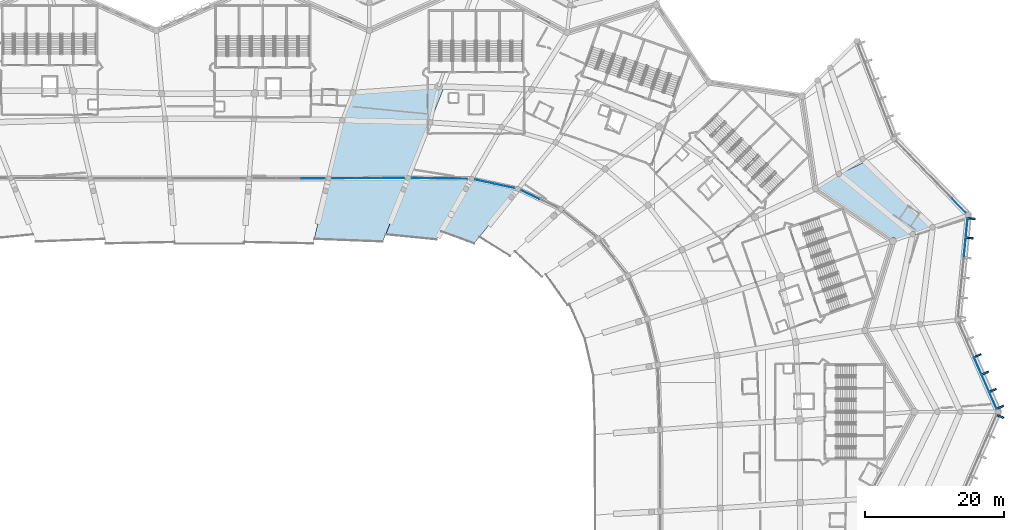
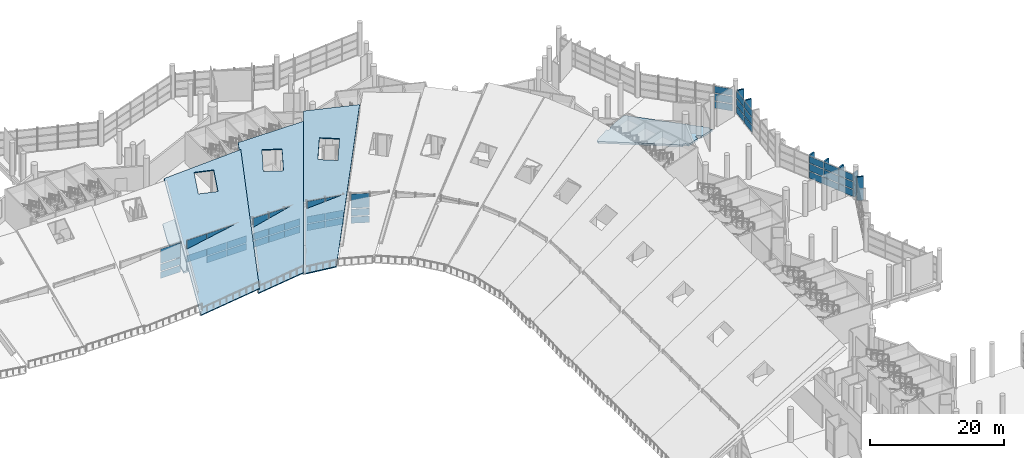
# One storey, part 131 of 249: 55 plates, 5 slabs, 8 elements without a shape of their own.
"""IFC4 building model written with IfcOpenShell, lengths in metres."""

from ifc_helpers import new_model, si_unit, direction, frame, origin, origin_2d, place, context, subcontext, project, spatial, polyline, rectangle, outline, extrude, material, layer, layer_set, type_object, element, aggregate, save


model = new_model("IFC4")

# Units and contexts
model_context = context("Model", 3, precision=1e-05, world=origin(), true_north=direction((0.0, 1.0)))
body_context = subcontext(model_context, "Body", "Model", "MODEL_VIEW")
ifc_project = project(units=[si_unit("LENGTHUNIT", "METRE"), si_unit("AREAUNIT", "SQUARE_METRE"), si_unit("VOLUMEUNIT", "CUBIC_METRE"), si_unit("PLANEANGLEUNIT", "RADIAN"), si_unit("MASSUNIT", "GRAM", prefix="KILO")], contexts=[model_context])

# Site, building, storey
site_placement = place(None, origin())
site = spatial("IfcSite", under=ifc_project, at=site_placement, CompositionType="ELEMENT")
building_placement = place(site_placement, origin())
building = spatial("IfcBuilding", under=site, at=building_placement, Name="Meseta Stadium", CompositionType="ELEMENT")
storey_placement = place(building_placement, frame((0.0, 0.0, 12.0)))
storey = spatial("IfcBuildingStorey", under=building, at=storey_placement, Name="L02", CompositionType="ELEMENT", Elevation=12.0)

# Curtain wall, plates
ifc_material_1 = material(Name="Aluminium", Category="aluminium")
ifc_layer_1 = layer(ifc_material_1, 0.199951171875)
ifc_layer_set_1 = layer_set([ifc_layer_1], Name="Suite glazing curtain wall")
curtain_wall_type_1 = type_object("IfcCurtainWallType", Name="Suite glazing curtain wall", PredefinedType="NOTDEFINED", material=ifc_layer_set_1)
curtain_wall_1_placement = place(storey_placement, origin())
curtain_wall_1 = element("IfcCurtainWall", 1, at=curtain_wall_1_placement, inside=storey, type_object=curtain_wall_type_1, Name="Suite glazing bay 13", PredefinedType="NOTDEFINED")
ifc_material_2 = material(Name="Glass", Category="glass")
ifc_layer_2 = layer(ifc_material_2, 0.035888671875)
ifc_layer_set_2 = layer_set([ifc_layer_2], Name="CW glass panel 36")
plate_type_1 = type_object("IfcPlateType", Name="CW glass panel 36", PredefinedType="CURTAIN_PANEL", material=ifc_layer_set_2)
plate_1_placement = place(storey_placement, frame((46.166259765625, 74.968017578125, 0.14990234375), z_axis=(0.0, 0.0, 1.0), x_axis=(-0.904328409074, 0.426837356076, 0.0)))
plate_1 = element("IfcPlate", 2, at=plate_1_placement, type_object=plate_type_1, Name="CWS panel 2.1", PredefinedType="CURTAIN_PANEL", context=body_context, shape_type="SweptSolid", body=[
    extrude(rectangle(XDim=2.822509765625, YDim=0.035888671875, at=origin_2d()), origin(), (0.0, 0.0, 1.0), 1.1875),
])
plate_2_placement = place(storey_placement, frame((46.166259765625, 74.968017578125, 1.4873046875), z_axis=(0.0, 0.0, 1.0), x_axis=(-0.904328409074, 0.426837356076, 0.0)))
plate_2 = element("IfcPlate", 3, at=plate_2_placement, type_object=plate_type_1, Name="CWS panel 2.2", PredefinedType="CURTAIN_PANEL", context=body_context, shape_type="SweptSolid", body=[
    extrude(rectangle(XDim=2.822509765625, YDim=0.035888671875, at=origin_2d()), origin(), (0.0, 0.0, 1.0), 1.262451171875),
])
plate_3_placement = place(storey_placement, frame((46.166259765625, 74.968017578125, 2.89990234375), z_axis=(0.0, 0.0, 1.0), x_axis=(-0.904328409074, 0.426837356076, 0.0)))
plate_3 = element("IfcPlate", 4, at=plate_3_placement, type_object=plate_type_1, Name="CWS panel 2.3", PredefinedType="CURTAIN_PANEL", context=body_context, shape_type="SweptSolid", body=[
    extrude(rectangle(XDim=2.822509765625, YDim=0.035888671875, at=origin_2d()), origin(), (0.0, 0.0, 1.0), 2.60009765625),
])
aggregate(curtain_wall_1, [plate_1, plate_2, plate_3])

curtain_wall_2_placement = place(storey_placement, origin())
curtain_wall_2 = element("IfcCurtainWall", 5, at=curtain_wall_2_placement, inside=storey, type_object=curtain_wall_type_1, Name="Suite glazing bay 14", PredefinedType="NOTDEFINED")
plate_4_placement = place(storey_placement, frame((42.43603515625, 76.232177734375, 0.14990234375), z_axis=(0.0, 0.0, 1.0), x_axis=(-0.977070301273, 0.21291694712, 0.0)))
plate_4 = element("IfcPlate", 6, at=plate_4_placement, type_object=plate_type_1, Name="CWS panel 1.1", PredefinedType="CURTAIN_PANEL", context=body_context, shape_type="SweptSolid", body=[
    extrude(rectangle(XDim=2.80810546875, YDim=0.035888671875, at=origin_2d()), origin(), (0.0, 0.0, 1.0), 1.1875),
])
plate_5_placement = place(storey_placement, frame((42.43603515625, 76.232177734375, 1.4873046875), z_axis=(0.0, 0.0, 1.0), x_axis=(-0.977070301273, 0.21291694712, 0.0)))
plate_5 = element("IfcPlate", 7, at=plate_5_placement, type_object=plate_type_1, Name="CWS panel 1.2", PredefinedType="CURTAIN_PANEL", context=body_context, shape_type="SweptSolid", body=[
    extrude(rectangle(XDim=2.80810546875, YDim=0.035888671875, at=origin_2d()), origin(), (0.0, 0.0, 1.0), 1.262451171875),
])
plate_6_placement = place(storey_placement, frame((42.43603515625, 76.232177734375, 2.89990234375), z_axis=(0.0, 0.0, 1.0), x_axis=(-0.977070301273, 0.21291694712, 0.0)))
plate_6 = element("IfcPlate", 8, at=plate_6_placement, type_object=plate_type_1, Name="CWS panel 1.3", PredefinedType="CURTAIN_PANEL", context=body_context, shape_type="SweptSolid", body=[
    extrude(rectangle(XDim=2.80810546875, YDim=0.035888671875, at=origin_2d()), origin(), (0.0, 0.0, 1.0), 2.60009765625),
])
plate_7_placement = place(storey_placement, frame((39.633544921875, 76.843017578125, 0.14990234375), z_axis=(0.0, 0.0, 1.0), x_axis=(-0.977070301273, 0.21291694712, 0.0)))
plate_7 = element("IfcPlate", 9, at=plate_7_placement, type_object=plate_type_1, Name="CWS panel 2.1", PredefinedType="CURTAIN_PANEL", context=body_context, shape_type="SweptSolid", body=[
    extrude(rectangle(XDim=2.80810546875, YDim=0.035888671875, at=origin_2d()), origin(), (0.0, 0.0, 1.0), 1.1875),
])
plate_8_placement = place(storey_placement, frame((39.633544921875, 76.843017578125, 1.4873046875), z_axis=(0.0, 0.0, 1.0), x_axis=(-0.977070301273, 0.21291694712, 0.0)))
plate_8 = element("IfcPlate", 10, at=plate_8_placement, type_object=plate_type_1, Name="CWS panel 2.2", PredefinedType="CURTAIN_PANEL", context=body_context, shape_type="SweptSolid", body=[
    extrude(rectangle(XDim=2.80810546875, YDim=0.035888671875, at=origin_2d()), origin(), (0.0, 0.0, 1.0), 1.262451171875),
])
plate_9_placement = place(storey_placement, frame((39.633544921875, 76.843017578125, 2.89990234375), z_axis=(0.0, 0.0, 1.0), x_axis=(-0.977070301273, 0.21291694712, 0.0)))
plate_9 = element("IfcPlate", 11, at=plate_9_placement, type_object=plate_type_1, Name="CWS panel 2.3", PredefinedType="CURTAIN_PANEL", context=body_context, shape_type="SweptSolid", body=[
    extrude(rectangle(XDim=2.80810546875, YDim=0.035888671875, at=origin_2d()), origin(), (0.0, 0.0, 1.0), 2.60009765625),
])
aggregate(curtain_wall_2, [plate_4, plate_5, plate_6, plate_7, plate_8, plate_9])

curtain_wall_3_placement = place(storey_placement, origin())
curtain_wall_3 = element("IfcCurtainWall", 12, at=curtain_wall_3_placement, inside=storey, type_object=curtain_wall_type_1, Name="Suite glazing bay 15", PredefinedType="NOTDEFINED")
plate_10_placement = place(storey_placement, frame((35.80029296875, 77.287109375, 0.14990234375), z_axis=(0.0, 0.0, 1.0), x_axis=(-0.999911801279, 0.013281177042, 0.0)))
plate_10 = element("IfcPlate", 13, at=plate_10_placement, type_object=plate_type_1, Name="CWS panel 1.1", PredefinedType="CURTAIN_PANEL", context=body_context, shape_type="SweptSolid", body=[
    extrude(rectangle(XDim=2.60546875, YDim=0.035888671875, at=origin_2d()), origin(), (0.0, 0.0, 1.0), 1.1875),
])
plate_11_placement = place(storey_placement, frame((35.80029296875, 77.287109375, 1.4873046875), z_axis=(0.0, 0.0, 1.0), x_axis=(-0.999911801279, 0.013281177042, 0.0)))
plate_11 = element("IfcPlate", 14, at=plate_11_placement, type_object=plate_type_1, Name="CWS panel 1.2", PredefinedType="CURTAIN_PANEL", context=body_context, shape_type="SweptSolid", body=[
    extrude(rectangle(XDim=2.60546875, YDim=0.035888671875, at=origin_2d()), origin(), (0.0, 0.0, 1.0), 1.262451171875),
])
plate_12_placement = place(storey_placement, frame((35.80029296875, 77.287109375, 2.89990234375), z_axis=(0.0, 0.0, 1.0), x_axis=(-0.999911801279, 0.013281177042, 0.0)))
plate_12 = element("IfcPlate", 15, at=plate_12_placement, type_object=plate_type_1, Name="CWS panel 1.3", PredefinedType="CURTAIN_PANEL", context=body_context, shape_type="SweptSolid", body=[
    extrude(rectangle(XDim=2.60546875, YDim=0.035888671875, at=origin_2d()), origin(), (0.0, 0.0, 1.0), 2.60009765625),
])
plate_13_placement = place(storey_placement, frame((33.1201171875, 77.32275390625, 0.14990234375), z_axis=(0.0, 0.0, 1.0), x_axis=(-0.999911801279, 0.013281177042, 0.0)))
plate_13 = element("IfcPlate", 16, at=plate_13_placement, type_object=plate_type_1, Name="CWS panel 2.1", PredefinedType="CURTAIN_PANEL", context=body_context, shape_type="SweptSolid", body=[
    extrude(rectangle(XDim=2.635498046875, YDim=0.035888671875, at=origin_2d()), origin(), (0.0, 0.0, 1.0), 1.1875),
])
plate_14_placement = place(storey_placement, frame((33.1201171875, 77.32275390625, 1.4873046875), z_axis=(0.0, 0.0, 1.0), x_axis=(-0.999911801279, 0.013281177042, 0.0)))
plate_14 = element("IfcPlate", 17, at=plate_14_placement, type_object=plate_type_1, Name="CWS panel 2.2", PredefinedType="CURTAIN_PANEL", context=body_context, shape_type="SweptSolid", body=[
    extrude(rectangle(XDim=2.635498046875, YDim=0.035888671875, at=origin_2d()), origin(), (0.0, 0.0, 1.0), 1.262451171875),
])
plate_15_placement = place(storey_placement, frame((33.1201171875, 77.32275390625, 2.89990234375), z_axis=(0.0, 0.0, 1.0), x_axis=(-0.999911801279, 0.013281177042, 0.0)))
plate_15 = element("IfcPlate", 18, at=plate_15_placement, type_object=plate_type_1, Name="CWS panel 2.3", PredefinedType="CURTAIN_PANEL", context=body_context, shape_type="SweptSolid", body=[
    extrude(rectangle(XDim=2.635498046875, YDim=0.035888671875, at=origin_2d()), origin(), (0.0, 0.0, 1.0), 2.60009765625),
])
plate_16_placement = place(storey_placement, frame((30.43994140625, 77.3583984375, 0.14990234375), z_axis=(0.0, 0.0, 1.0), x_axis=(-0.999911801279, 0.013281177042, 0.0)))
plate_16 = element("IfcPlate", 19, at=plate_16_placement, type_object=plate_type_1, Name="CWS panel 3.1", PredefinedType="CURTAIN_PANEL", context=body_context, shape_type="SweptSolid", body=[
    extrude(rectangle(XDim=2.60546875, YDim=0.035888671875, at=origin_2d()), origin(), (0.0, 0.0, 1.0), 1.1875),
])
plate_17_placement = place(storey_placement, frame((30.43994140625, 77.3583984375, 1.4873046875), z_axis=(0.0, 0.0, 1.0), x_axis=(-0.999911801279, 0.013281177042, 0.0)))
plate_17 = element("IfcPlate", 20, at=plate_17_placement, type_object=plate_type_1, Name="CWS panel 3.2", PredefinedType="CURTAIN_PANEL", context=body_context, shape_type="SweptSolid", body=[
    extrude(rectangle(XDim=2.60546875, YDim=0.035888671875, at=origin_2d()), origin(), (0.0, 0.0, 1.0), 1.262451171875),
])
plate_18_placement = place(storey_placement, frame((30.43994140625, 77.3583984375, 2.89990234375), z_axis=(0.0, 0.0, 1.0), x_axis=(-0.999911801279, 0.013281177042, 0.0)))
plate_18 = element("IfcPlate", 21, at=plate_18_placement, type_object=plate_type_1, Name="CWS panel 3.3", PredefinedType="CURTAIN_PANEL", context=body_context, shape_type="SweptSolid", body=[
    extrude(rectangle(XDim=2.60546875, YDim=0.035888671875, at=origin_2d()), origin(), (0.0, 0.0, 1.0), 2.60009765625),
])
aggregate(curtain_wall_3, [plate_10, plate_11, plate_12, plate_13, plate_14, plate_15, plate_16, plate_17, plate_18])

curtain_wall_4_placement = place(storey_placement, origin())
curtain_wall_4 = element("IfcCurtainWall", 22, at=curtain_wall_4_placement, inside=storey, type_object=curtain_wall_type_1, Name="Suite glazing bay 16", PredefinedType="NOTDEFINED")
plate_19_placement = place(storey_placement, frame((26.29541015625, 77.373046875, 0.14990234375), z_axis=(0.0, 0.0, 1.0), x_axis=(-0.999990015912, -0.004468565348, 0.0)))
plate_19 = element("IfcPlate", 23, at=plate_19_placement, type_object=plate_type_1, Name="CWS panel 1.1", PredefinedType="CURTAIN_PANEL", context=body_context, shape_type="SweptSolid", body=[
    extrude(rectangle(XDim=3.386474609375, YDim=0.035888671875, at=origin_2d()), origin(), (0.0, 0.0, 1.0), 1.1875),
])
plate_20_placement = place(storey_placement, frame((26.29541015625, 77.373046875, 1.4873046875), z_axis=(0.0, 0.0, 1.0), x_axis=(-0.999990015912, -0.004468565348, 0.0)))
plate_20 = element("IfcPlate", 24, at=plate_20_placement, type_object=plate_type_1, Name="CWS panel 1.2", PredefinedType="CURTAIN_PANEL", context=body_context, shape_type="SweptSolid", body=[
    extrude(rectangle(XDim=3.386474609375, YDim=0.035888671875, at=origin_2d()), origin(), (0.0, 0.0, 1.0), 1.262451171875),
])
plate_21_placement = place(storey_placement, frame((26.29541015625, 77.373046875, 2.89990234375), z_axis=(0.0, 0.0, 1.0), x_axis=(-0.999990015912, -0.004468565348, 0.0)))
plate_21 = element("IfcPlate", 25, at=plate_21_placement, type_object=plate_type_1, Name="CWS panel 1.3", PredefinedType="CURTAIN_PANEL", context=body_context, shape_type="SweptSolid", body=[
    extrude(rectangle(XDim=3.386474609375, YDim=0.035888671875, at=origin_2d()), origin(), (0.0, 0.0, 1.0), 2.60009765625),
])
plate_22_placement = place(storey_placement, frame((22.833984375, 77.357666015625, 0.14990234375), z_axis=(0.0, 0.0, 1.0), x_axis=(-0.999990015912, -0.004468565348, 0.0)))
plate_22 = element("IfcPlate", 26, at=plate_22_placement, type_object=plate_type_1, Name="CWS panel 2.1", PredefinedType="CURTAIN_PANEL", context=body_context, shape_type="SweptSolid", body=[
    extrude(rectangle(XDim=3.41650390625, YDim=0.035888671875, at=origin_2d()), origin(), (0.0, 0.0, 1.0), 1.1875),
])
plate_23_placement = place(storey_placement, frame((22.833984375, 77.357666015625, 1.4873046875), z_axis=(0.0, 0.0, 1.0), x_axis=(-0.999990015912, -0.004468565348, 0.0)))
plate_23 = element("IfcPlate", 27, at=plate_23_placement, type_object=plate_type_1, Name="CWS panel 2.2", PredefinedType="CURTAIN_PANEL", context=body_context, shape_type="SweptSolid", body=[
    extrude(rectangle(XDim=3.41650390625, YDim=0.035888671875, at=origin_2d()), origin(), (0.0, 0.0, 1.0), 1.262451171875),
])
plate_24_placement = place(storey_placement, frame((22.833984375, 77.357666015625, 2.89990234375), z_axis=(0.0, 0.0, 1.0), x_axis=(-0.999990015912, -0.004468565348, 0.0)))
plate_24 = element("IfcPlate", 28, at=plate_24_placement, type_object=plate_type_1, Name="CWS panel 2.3", PredefinedType="CURTAIN_PANEL", context=body_context, shape_type="SweptSolid", body=[
    extrude(rectangle(XDim=3.41650390625, YDim=0.035888671875, at=origin_2d()), origin(), (0.0, 0.0, 1.0), 2.60009765625),
])
plate_25_placement = place(storey_placement, frame((19.372802734375, 77.342041015625, 0.14990234375), z_axis=(0.0, 0.0, 1.0), x_axis=(-0.999990015912, -0.004468565348, 0.0)))
plate_25 = element("IfcPlate", 29, at=plate_25_placement, type_object=plate_type_1, Name="CWS panel 3.1", PredefinedType="CURTAIN_PANEL", context=body_context, shape_type="SweptSolid", body=[
    extrude(rectangle(XDim=3.386474609375, YDim=0.035888671875, at=origin_2d()), origin(), (0.0, 0.0, 1.0), 1.1875),
])
plate_26_placement = place(storey_placement, frame((19.372802734375, 77.342041015625, 1.4873046875), z_axis=(0.0, 0.0, 1.0), x_axis=(-0.999990015912, -0.004468565348, 0.0)))
plate_26 = element("IfcPlate", 30, at=plate_26_placement, type_object=plate_type_1, Name="CWS panel 3.2", PredefinedType="CURTAIN_PANEL", context=body_context, shape_type="SweptSolid", body=[
    extrude(rectangle(XDim=3.386474609375, YDim=0.035888671875, at=origin_2d()), origin(), (0.0, 0.0, 1.0), 1.262451171875),
])
plate_27_placement = place(storey_placement, frame((19.372802734375, 77.342041015625, 2.89990234375), z_axis=(0.0, 0.0, 1.0), x_axis=(-0.999990015912, -0.004468565348, 0.0)))
plate_27 = element("IfcPlate", 31, at=plate_27_placement, type_object=plate_type_1, Name="CWS panel 3.3", PredefinedType="CURTAIN_PANEL", context=body_context, shape_type="SweptSolid", body=[
    extrude(rectangle(XDim=3.386474609375, YDim=0.035888671875, at=origin_2d()), origin(), (0.0, 0.0, 1.0), 2.60009765625),
])
aggregate(curtain_wall_4, [plate_19, plate_20, plate_21, plate_22, plate_23, plate_24, plate_25, plate_26, plate_27])

curtain_wall_5_placement = place(storey_placement, origin())
curtain_wall_5 = element("IfcCurtainWall", 32, at=curtain_wall_5_placement, inside=storey, type_object=curtain_wall_type_1, Name="Suite glazing bay 17", PredefinedType="NOTDEFINED")
plate_28_placement = place(storey_placement, frame((14.8779296875, 77.326416015625, 0.14990234375), z_axis=(0.0, 0.0, 1.0), x_axis=(-0.999996910004, -0.002485957037, 0.0)))
plate_28 = element("IfcPlate", 33, at=plate_28_placement, type_object=plate_type_1, Name="CWS panel 1.1", PredefinedType="CURTAIN_PANEL", context=body_context, shape_type="SweptSolid", body=[
    extrude(rectangle(XDim=3.392333984375, YDim=0.035888671875, at=origin_2d()), origin(), (0.0, 0.0, 1.0), 1.1875),
])
plate_29_placement = place(storey_placement, frame((14.8779296875, 77.326416015625, 1.4873046875), z_axis=(0.0, 0.0, 1.0), x_axis=(-0.999996910004, -0.002485957037, 0.0)))
plate_29 = element("IfcPlate", 34, at=plate_29_placement, type_object=plate_type_1, Name="CWS panel 1.2", PredefinedType="CURTAIN_PANEL", context=body_context, shape_type="SweptSolid", body=[
    extrude(rectangle(XDim=3.392333984375, YDim=0.035888671875, at=origin_2d()), origin(), (0.0, 0.0, 1.0), 1.262451171875),
])
plate_30_placement = place(storey_placement, frame((14.8779296875, 77.326416015625, 2.89990234375), z_axis=(0.0, 0.0, 1.0), x_axis=(-0.999996910004, -0.002485957037, 0.0)))
plate_30 = element("IfcPlate", 35, at=plate_30_placement, type_object=plate_type_1, Name="CWS panel 1.3", PredefinedType="CURTAIN_PANEL", context=body_context, shape_type="SweptSolid", body=[
    extrude(rectangle(XDim=3.392333984375, YDim=0.035888671875, at=origin_2d()), origin(), (0.0, 0.0, 1.0), 2.60009765625),
])
aggregate(curtain_wall_5, [plate_28, plate_29, plate_30])

# Slabs
ifc_material_3 = material(Name="Concrete C40/50", Category="concrete")
ifc_layer_3 = layer(ifc_material_3, 0.35009765625)
ifc_layer_set_3 = layer_set([ifc_layer_3], Name="Floor slab 350")
slab_type_1 = type_object("IfcSlabType", Name="Floor slab 350", PredefinedType="FLOOR", material=ifc_layer_set_3)
slab_1_placement = place(storey_placement, frame((0.0, 0.0, -0.35009765625)))
element("IfcSlab", 36, at=slab_1_placement, inside=storey, type_object=slab_type_1, Name="Floor slab L02 sector 14 panel 09", PredefinedType="FLOOR", context=body_context, shape_type="SweptSolid", body=[
    extrude(outline(polyline([(19.11865234375, 85.6982421875), (17.126708984375, 77.33203125), (20.93701171875, 77.346923828125), (28.564697265625, 77.38330078125), (33.779541015625, 90.524658203125), (32.944091796875, 90.551025390625), (20.649658203125, 89.65625), (19.11865234375, 85.6982421875)])), origin(), (0.0, 0.0, 1.0), 0.35009765625),
])
slab_2_placement = place(storey_placement, frame((0.0, 0.0, -0.35009765625)))
element("IfcSlab", 37, at=slab_2_placement, inside=storey, type_object=slab_type_1, Name="Ring floor slab L02 1 part 1 panel 03", PredefinedType="FLOOR", context=body_context, shape_type="SweptSolid", body=[
    extrude(outline(polyline([(90.25244140625, 77.69970703125), (90.197509765625, 77.771240234375), (87.533447265625, 76.097412109375), (87.5439453125, 76.083740234375), (87.589111328125, 75.97412109375), (87.604736328125, 75.856689453125), (87.58935546875, 75.740478515625), (97.980712890625, 68.689453125), (98.0390625, 68.734130859375), (98.16064453125, 68.78466796875), (98.291015625, 68.8017578125), (98.421630859375, 68.78466796875), (98.543212890625, 68.734130859375), (98.647705078125, 68.654052734375), (98.727783203125, 68.549560546875), (98.7783203125, 68.427978515625), (98.790283203125, 68.337158203125), (100.8779296875, 68.99169921875), (100.855224609375, 69.00927734375), (100.791015625, 69.0927734375), (100.750732421875, 69.190185546875), (100.737060546875, 69.29443359375), (100.750732421875, 69.39892578125), (100.791015625, 69.49609375), (100.855224609375, 69.579833984375), (100.938720703125, 69.643798828125), (101.0361328125, 69.68408203125), (101.140380859375, 69.697998046875), (101.2451171875, 69.68408203125), (101.34228515625, 69.643798828125), (101.42578125, 69.579833984375), (101.489990234375, 69.49609375), (101.5302734375, 69.39892578125), (101.5439453125, 69.29443359375), (101.531005859375, 69.196533203125), (103.84033203125, 69.920654296875), (103.7880859375, 69.942138671875), (103.70458984375, 70.00634765625), (103.640380859375, 70.08984375), (103.60009765625, 70.18701171875), (103.58642578125, 70.29150390625), (103.60009765625, 70.39599609375), (103.640380859375, 70.493408203125), (103.70166015625, 70.572998046875), (94.31884765625, 79.728515625), (90.924560546875, 78.09619140625), (90.927490234375, 78.08935546875), (90.941162109375, 77.98486328125), (90.927490234375, 77.880615234375), (90.88720703125, 77.783203125), (90.822998046875, 77.69970703125), (90.739501953125, 77.635498046875), (90.64208984375, 77.59521484375), (90.53759765625, 77.581298828125), (90.433349609375, 77.59521484375), (90.3359375, 77.635498046875), (90.25244140625, 77.69970703125)])), origin(), (0.0, 0.0, 1.0), 0.35009765625),
])

# Curtain wall, plates
ifc_material_4 = material(Name="Aluminium", Category="aluminium")
ifc_layer_4 = layer(ifc_material_4, 0.199951171875)
ifc_layer_set_4 = layer_set([ifc_layer_4], Name="Ring shopfront curtain wall")
curtain_wall_type_2 = type_object("IfcCurtainWallType", Name="Ring shopfront curtain wall", PredefinedType="NOTDEFINED", material=ifc_layer_set_4)
curtain_wall_6_placement = place(storey_placement, origin())
curtain_wall_6 = element("IfcCurtainWall", 38, at=curtain_wall_6_placement, inside=storey, type_object=curtain_wall_type_2, Name="Ring glazing L02 F08", PredefinedType="NOTDEFINED")
ifc_material_5 = material(Name="Glass", Category="glass")
ifc_layer_5 = layer(ifc_material_5, 0.035888671875)
ifc_layer_set_5 = layer_set([ifc_layer_5], Name="Ring CW glass panel 36")
plate_type_2 = type_object("IfcPlateType", Name="Ring CW glass panel 36", PredefinedType="CURTAIN_PANEL", material=ifc_layer_set_5)
plate_31_placement = place(storey_placement, frame((112.686279296875, 45.3759765625, 0.14990234375), z_axis=(0.0, 0.0, 1.0), x_axis=(-0.401891921186, 0.915687110145, 0.0)))
plate_31 = element("IfcPlate", 39, at=plate_31_placement, type_object=plate_type_2, Name="CWR1 panel 1.1", PredefinedType="CURTAIN_PANEL", context=body_context, shape_type="SweptSolid", body=[
    extrude(rectangle(XDim=2.63134765625, YDim=0.035888671875, at=origin_2d()), origin(), (0.0, 0.0, 1.0), 1.208251953125),
])
plate_32_placement = place(storey_placement, frame((112.686279296875, 45.3759765625, 1.50830078125), z_axis=(0.0, 0.0, 1.0), x_axis=(-0.401891921186, 0.915687110145, 0.0)))
plate_32 = element("IfcPlate", 40, at=plate_32_placement, type_object=plate_type_2, Name="CWR1 panel 1.2", PredefinedType="CURTAIN_PANEL", context=body_context, shape_type="SweptSolid", body=[
    extrude(rectangle(XDim=2.63134765625, YDim=0.035888671875, at=origin_2d()), origin(), (0.0, 0.0, 1.0), 1.283447265625),
])
plate_33_placement = place(storey_placement, frame((112.686279296875, 45.3759765625, 2.94189453125), z_axis=(0.0, 0.0, 1.0), x_axis=(-0.401891921186, 0.915687110145, 0.0)))
plate_33 = element("IfcPlate", 41, at=plate_33_placement, type_object=plate_type_2, Name="CWR1 panel 1.3", PredefinedType="CURTAIN_PANEL", context=body_context, shape_type="SweptSolid", body=[
    extrude(rectangle(XDim=2.63134765625, YDim=0.035888671875, at=origin_2d()), origin(), (0.0, 0.0, 1.0), 1.208251953125),
])
plate_34_placement = place(storey_placement, frame((111.5986328125, 47.85400390625, 0.14990234375), z_axis=(0.0, 0.0, 1.0), x_axis=(-0.401891921186, 0.915687110145, 0.0)))
plate_34 = element("IfcPlate", 42, at=plate_34_placement, type_object=plate_type_2, Name="CWR1 panel 2.1", PredefinedType="CURTAIN_PANEL", context=body_context, shape_type="SweptSolid", body=[
    extrude(rectangle(XDim=2.661376953125, YDim=0.035888671875, at=origin_2d()), origin(), (0.0, 0.0, 1.0), 1.208251953125),
])
plate_35_placement = place(storey_placement, frame((111.5986328125, 47.85400390625, 1.50830078125), z_axis=(0.0, 0.0, 1.0), x_axis=(-0.401891921186, 0.915687110145, 0.0)))
plate_35 = element("IfcPlate", 43, at=plate_35_placement, type_object=plate_type_2, Name="CWR1 panel 2.2", PredefinedType="CURTAIN_PANEL", context=body_context, shape_type="SweptSolid", body=[
    extrude(rectangle(XDim=2.661376953125, YDim=0.035888671875, at=origin_2d()), origin(), (0.0, 0.0, 1.0), 1.283447265625),
])
plate_36_placement = place(storey_placement, frame((111.5986328125, 47.85400390625, 2.94189453125), z_axis=(0.0, 0.0, 1.0), x_axis=(-0.401891921186, 0.915687110145, 0.0)))
plate_36 = element("IfcPlate", 44, at=plate_36_placement, type_object=plate_type_2, Name="CWR1 panel 2.3", PredefinedType="CURTAIN_PANEL", context=body_context, shape_type="SweptSolid", body=[
    extrude(rectangle(XDim=2.661376953125, YDim=0.035888671875, at=origin_2d()), origin(), (0.0, 0.0, 1.0), 1.208251953125),
])
plate_37_placement = place(storey_placement, frame((110.505126953125, 50.345947265625, 0.14990234375), z_axis=(0.0, 0.0, 1.0), x_axis=(-0.401891921186, 0.915687110145, 0.0)))
plate_37 = element("IfcPlate", 45, at=plate_37_placement, type_object=plate_type_2, Name="CWR1 panel 3.1", PredefinedType="CURTAIN_PANEL", context=body_context, shape_type="SweptSolid", body=[
    extrude(rectangle(XDim=2.661376953125, YDim=0.035888671875, at=origin_2d()), origin(), (0.0, 0.0, 1.0), 1.208251953125),
])
plate_38_placement = place(storey_placement, frame((110.505126953125, 50.345947265625, 1.50830078125), z_axis=(0.0, 0.0, 1.0), x_axis=(-0.401891921186, 0.915687110145, 0.0)))
plate_38 = element("IfcPlate", 46, at=plate_38_placement, type_object=plate_type_2, Name="CWR1 panel 3.2", PredefinedType="CURTAIN_PANEL", context=body_context, shape_type="SweptSolid", body=[
    extrude(rectangle(XDim=2.661376953125, YDim=0.035888671875, at=origin_2d()), origin(), (0.0, 0.0, 1.0), 1.283447265625),
])
plate_39_placement = place(storey_placement, frame((110.505126953125, 50.345947265625, 2.94189453125), z_axis=(0.0, 0.0, 1.0), x_axis=(-0.401891921186, 0.915687110145, 0.0)))
plate_39 = element("IfcPlate", 47, at=plate_39_placement, type_object=plate_type_2, Name="CWR1 panel 3.3", PredefinedType="CURTAIN_PANEL", context=body_context, shape_type="SweptSolid", body=[
    extrude(rectangle(XDim=2.661376953125, YDim=0.035888671875, at=origin_2d()), origin(), (0.0, 0.0, 1.0), 1.208251953125),
])
aggregate(curtain_wall_6, [plate_31, plate_32, plate_33, plate_34, plate_35, plate_36, plate_37, plate_38, plate_39])

curtain_wall_7_placement = place(storey_placement, origin())
curtain_wall_7 = element("IfcCurtainWall", 48, at=curtain_wall_7_placement, inside=storey, type_object=curtain_wall_type_2, Name="Ring glazing L02 F09", PredefinedType="NOTDEFINED")
plate_40_placement = place(storey_placement, frame((108.62841796875, 67.3759765625, 0.14990234375), z_axis=(0.0, 0.0, 1.0), x_axis=(0.097124618973, 0.995272228282, 0.0)))
plate_40 = element("IfcPlate", 49, at=plate_40_placement, type_object=plate_type_2, Name="CWR1 panel 4.1", PredefinedType="CURTAIN_PANEL", context=body_context, shape_type="SweptSolid", body=[
    extrude(rectangle(XDim=2.821044921875, YDim=0.035888671875, at=origin_2d()), origin(), (0.0, 0.0, 1.0), 1.208251953125),
])
plate_41_placement = place(storey_placement, frame((108.62841796875, 67.3759765625, 1.50830078125), z_axis=(0.0, 0.0, 1.0), x_axis=(0.097124618973, 0.995272228282, 0.0)))
plate_41 = element("IfcPlate", 50, at=plate_41_placement, type_object=plate_type_2, Name="CWR1 panel 4.2", PredefinedType="CURTAIN_PANEL", context=body_context, shape_type="SweptSolid", body=[
    extrude(rectangle(XDim=2.821044921875, YDim=0.035888671875, at=origin_2d()), origin(), (0.0, 0.0, 1.0), 1.283447265625),
])
plate_42_placement = place(storey_placement, frame((108.62841796875, 67.3759765625, 2.94189453125), z_axis=(0.0, 0.0, 1.0), x_axis=(0.097124618973, 0.995272228282, 0.0)))
plate_42 = element("IfcPlate", 51, at=plate_42_placement, type_object=plate_type_2, Name="CWR1 panel 4.3", PredefinedType="CURTAIN_PANEL", context=body_context, shape_type="SweptSolid", body=[
    extrude(rectangle(XDim=2.821044921875, YDim=0.035888671875, at=origin_2d()), origin(), (0.0, 0.0, 1.0), 1.208251953125),
])
plate_43_placement = place(storey_placement, frame((108.90673828125, 70.228271484375, 0.14990234375), z_axis=(0.0, 0.0, 1.0), x_axis=(0.097124618973, 0.995272228282, 0.0)))
plate_43 = element("IfcPlate", 52, at=plate_43_placement, type_object=plate_type_2, Name="CWR1 panel 5.1", PredefinedType="CURTAIN_PANEL", context=body_context, shape_type="SweptSolid", body=[
    extrude(rectangle(XDim=2.791015625, YDim=0.035888671875, at=origin_2d()), origin(), (0.0, 0.0, 1.0), 1.208251953125),
])
plate_44_placement = place(storey_placement, frame((108.90673828125, 70.228271484375, 1.50830078125), z_axis=(0.0, 0.0, 1.0), x_axis=(0.097124618973, 0.995272228282, 0.0)))
plate_44 = element("IfcPlate", 53, at=plate_44_placement, type_object=plate_type_2, Name="CWR1 panel 5.2", PredefinedType="CURTAIN_PANEL", context=body_context, shape_type="SweptSolid", body=[
    extrude(rectangle(XDim=2.791015625, YDim=0.035888671875, at=origin_2d()), origin(), (0.0, 0.0, 1.0), 1.283447265625),
])
plate_45_placement = place(storey_placement, frame((108.90673828125, 70.228271484375, 2.94189453125), z_axis=(0.0, 0.0, 1.0), x_axis=(0.097124618973, 0.995272228282, 0.0)))
plate_45 = element("IfcPlate", 54, at=plate_45_placement, type_object=plate_type_2, Name="CWR1 panel 5.3", PredefinedType="CURTAIN_PANEL", context=body_context, shape_type="SweptSolid", body=[
    extrude(rectangle(XDim=2.791015625, YDim=0.035888671875, at=origin_2d()), origin(), (0.0, 0.0, 1.0), 1.208251953125),
])
aggregate(curtain_wall_7, [plate_40, plate_41, plate_42, plate_43, plate_44, plate_45])

curtain_wall_8_placement = place(storey_placement, origin())
curtain_wall_8 = element("IfcCurtainWall", 55, at=curtain_wall_8_placement, inside=storey, type_object=curtain_wall_type_2, Name="Ring glazing L02 F10", PredefinedType="NOTDEFINED")
plate_46_placement = place(storey_placement, frame((107.794677734375, 73.406494140625, 0.14990234375), z_axis=(0.0, 0.0, 1.0), x_axis=(-0.6964727488, 0.717583242683, 0.0)))
plate_46 = element("IfcPlate", 56, at=plate_46_placement, type_object=plate_type_2, Name="CWR1 panel 1.1", PredefinedType="CURTAIN_PANEL", context=body_context, shape_type="SweptSolid", body=[
    extrude(rectangle(XDim=2.791015625, YDim=0.035888671875, at=origin_2d()), origin(), (0.0, 0.0, 1.0), 1.208251953125),
])
plate_47_placement = place(storey_placement, frame((107.794677734375, 73.406494140625, 1.50830078125), z_axis=(0.0, 0.0, 1.0), x_axis=(-0.6964727488, 0.717583242683, 0.0)))
plate_47 = element("IfcPlate", 57, at=plate_47_placement, type_object=plate_type_2, Name="CWR1 panel 1.2", PredefinedType="CURTAIN_PANEL", context=body_context, shape_type="SweptSolid", body=[
    extrude(rectangle(XDim=2.791015625, YDim=0.035888671875, at=origin_2d()), origin(), (0.0, 0.0, 1.0), 1.283447265625),
])
plate_48_placement = place(storey_placement, frame((107.794677734375, 73.406494140625, 2.94189453125), z_axis=(0.0, 0.0, 1.0), x_axis=(-0.6964727488, 0.717583242683, 0.0)))
plate_48 = element("IfcPlate", 58, at=plate_48_placement, type_object=plate_type_2, Name="CWR1 panel 1.3", PredefinedType="CURTAIN_PANEL", context=body_context, shape_type="SweptSolid", body=[
    extrude(rectangle(XDim=2.791015625, YDim=0.035888671875, at=origin_2d()), origin(), (0.0, 0.0, 1.0), 1.208251953125),
])
aggregate(curtain_wall_8, [plate_46, plate_47, plate_48])

# Plates
ifc_material_6 = material(Name="Precast concrete C40/50", Category="concrete")
ifc_layer_6 = layer(ifc_material_6, 0.25)
ifc_layer_set_6 = layer_set([ifc_layer_6], Name="Ring brise-soleil fin 250x1000")
plate_type_3 = type_object("IfcPlateType", Name="Ring brise-soleil fin 250x1000", PredefinedType="USERDEFINED", material=ifc_layer_set_6)
for number, where, z_axis, x_axis, name in (
    (59, (113.762451171875, 43.075927734375, 0.0), (0.0, 0.0, 1.0), (0.396575976693, 0.918001903435, 0.0), "Brise-soleil fin L02 F07.5"),
    (60, (113.758544921875, 44.426025390625, 0.0), (0.0, 0.0, 1.0), (-0.401891841261, 0.915687145224, 0.0), "Brise-soleil fin L02 F08.1"),
    (61, (112.695068359375, 46.849365234375, 0.0), (0.0, 0.0, 1.0), (-0.401891841261, 0.915687145224, 0.0), "Brise-soleil fin L02 F08.2"),
    (62, (111.601318359375, 49.341064453125, 0.0), (0.0, 0.0, 1.0), (-0.401891841261, 0.915687145224, 0.0), "Brise-soleil fin L02 F08.3"),
    (63, (110.5078125, 51.8330078125, 0.0), (0.0, 0.0, 1.0), (-0.401891841261, 0.915687145224, 0.0), "Brise-soleil fin L02 F08.4"),
    (64, (109.365478515625, 68.751220703125, 0.0), (0.0, 0.0, 1.0), (0.097122584472, 0.995272426819, 0.0), "Brise-soleil fin L02 F09.5"),
    (65, (109.637939453125, 71.5439453125, 0.0), (0.0, 0.0, 1.0), (0.097122584472, 0.995272426819, 0.0), "Brise-soleil fin L02 F09.6"),
):
    element("IfcPlate", number, at=place(storey_placement, frame(where, z_axis=z_axis, x_axis=x_axis)), inside=storey, type_object=plate_type_3, Name=name, ObjectType="FIN", PredefinedType="USERDEFINED", context=body_context, shape_type="SweptSolid", body=[
        extrude(rectangle(XDim=0.25, YDim=1.0, at=origin_2d()), origin(), (0.0, 0.0, 1.0), 4.300048828125),
    ])

# Slabs
ifc_material_7 = material(Name="Concrete C40/50", Category="concrete")
ifc_layer_7 = layer(ifc_material_7, 0.35009765625)
ifc_layer_set_7 = layer_set([ifc_layer_7], Name="Seating tier 350")
slab_type_2 = type_object("IfcSlabType", Name="Seating tier 350", PredefinedType="USERDEFINED", material=ifc_layer_set_7)
slab_3_placement = place(storey_placement, frame((37.991455078125, 67.893310546875, -0.611328125), z_axis=(-0.300982957622, -0.436242358112, 0.847998740689), x_axis=(0.532988148367, 0.66042678222, 0.528923528524)))
element("IfcSlab", 66, at=slab_3_placement, inside=storey, type_object=slab_type_2, Name="Stand upper tier bay 15", ObjectType="SEATING TIER", PredefinedType="USERDEFINED", context=body_context, shape_type="SweptSolid", body=[
    extrude(outline(polyline([(0.0, 0.0), (26.39531107037316, 3.3306690738754696e-15), (24.388817441773874, 8.202043292565854), (-1.7751188570696073, 4.743260982808497), (0.0, 0.0)]), holes=[polyline([(17.041748046875, 2.043212890625), (20.572265625, 2.2685546875), (20.381591796875, 5.262451171875), (16.850830078125, 5.037109375), (17.041748046875, 2.043212890625)])]), origin(), (0.0, 0.0, -1.0), 0.35009765625),
])
slab_4_placement = place(storey_placement, frame((32.62109375, 68.45458984375, -0.202392578125), z_axis=(-0.232125349309, -0.476460262997, 0.847999669807), x_axis=(0.424664311848, 0.734693517012, 0.529042208433)))
element("IfcSlab", 67, at=slab_4_placement, inside=storey, type_object=slab_type_2, Name="Stand upper tier bay 16", ObjectType="SEATING TIER", PredefinedType="USERDEFINED", context=body_context, shape_type="SweptSolid", body=[
    extrude(outline(polyline([(0.0, 0.0), (24.510947095373222, 1.609823385706477e-15), (20.9023609237045, 9.732590246726355), (-3.417721118930432, 6.697482338328763), (0.0, 0.0)]), holes=[polyline([(16.4580078125, 2.97509765625), (19.989501953125, 3.187255859375), (19.8095703125, 6.181884765625), (16.278076171875, 5.9697265625), (16.4580078125, 2.97509765625)])]), origin(), (0.0, 0.0, -1.0), 0.35009765625),
])
slab_5_placement = place(storey_placement, frame((24.8974609375, 68.1416015625, -0.179931640625), z_axis=(-0.160362527166, -0.505151452962, 0.84800110227), x_axis=(0.312997384419, 0.788757617415, 0.529050147262)))
element("IfcSlab", 68, at=slab_5_placement, inside=storey, type_object=slab_type_2, Name="Stand upper tier bay 17", ObjectType="SEATING TIER", PredefinedType="USERDEFINED", context=body_context, shape_type="SweptSolid", body=[
    extrude(outline(polyline([(0.0, 0.0), (22.62574418160175, -1.1657341758564144e-15), (18.79827128201851, 12.076942505488795), (-3.6573266173856, 9.319240835863773), (0.0, 0.0)]), holes=[polyline([(16.105712890625, 4.25390625), (19.636962890625, 4.465087890625), (19.4580078125, 7.459716796875), (15.926513671875, 7.24853515625), (16.105712890625, 4.25390625)])]), origin(), (0.0, 0.0, -1.0), 0.35009765625),
])

save(model, "model.ifc")
